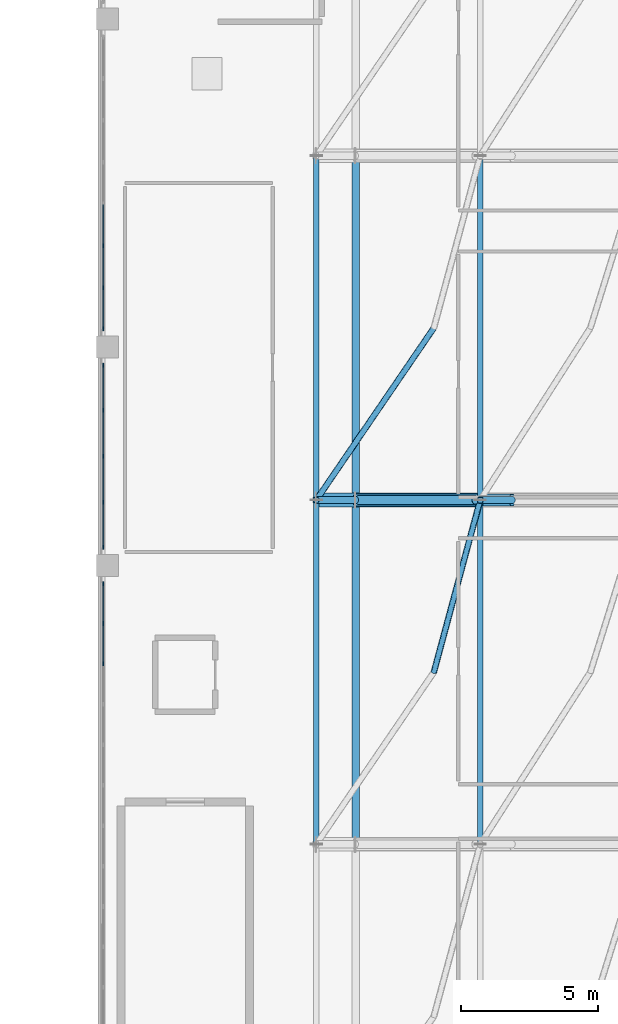
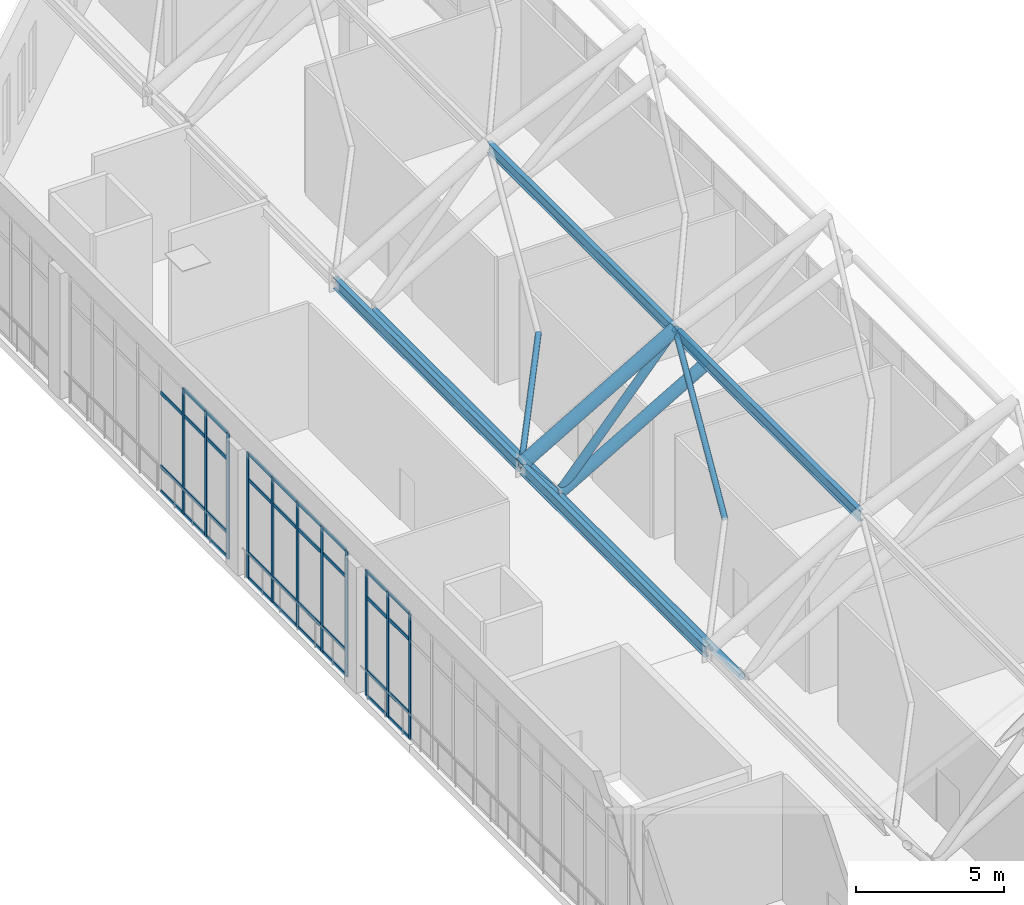
# One storey, part 13 of 42: 59 members, 3 elements without a shape of their own.
"""IFC4 building model written with IfcOpenShell, lengths in metres."""

from ifc_helpers import new_model, si_unit, derived_unit, direction, frame, origin, origin_2d, place, context, subcontext, project, spatial, rectangle, hollow_circle, i_section, extrude, material, layer, layer_set, material_profile, profile_set, type_object, element, aggregate, save


model = new_model("IFC4")

# Units and contexts
model_context = context("Model", 3, precision=1e-05, world=origin(), true_north=direction((0.0, 1.0)))
body_context = subcontext(model_context, "Body", "Model", "MODEL_VIEW")
ifc_project = project(units=[si_unit("LENGTHUNIT", "METRE"), si_unit("AREAUNIT", "SQUARE_METRE"), si_unit("VOLUMEUNIT", "CUBIC_METRE"), si_unit("PLANEANGLEUNIT", "RADIAN"), si_unit("MASSUNIT", "GRAM", prefix="KILO"), derived_unit("THERMALTRANSMITTANCEUNIT", [(si_unit("MASSUNIT", "GRAM", prefix="KILO"), 1), (si_unit("TIMEUNIT", "SECOND"), -3), (si_unit("THERMODYNAMICTEMPERATUREUNIT", "KELVIN"), -1)])], contexts=[model_context])

# Site, building, storey
site_placement = place(None, origin())
site = spatial("IfcSite", under=ifc_project, at=site_placement, CompositionType="ELEMENT")
building_placement = place(site_placement, origin())
building = spatial("IfcBuilding", under=site, at=building_placement, Name="Valcora Ridge Arena", CompositionType="ELEMENT")
storey_placement = place(building_placement, frame((0.0, 0.0, 26.39990234375)))
storey = spatial("IfcBuildingStorey", under=building, at=storey_placement, Name="L05", CompositionType="ELEMENT", Elevation=26.39990234375)

# Curtain wall, members
ifc_material_1 = material(Name="Anodised dark bronze architectural aluminium 6063-T6", Category="aluminium")
ifc_layer_1 = layer(ifc_material_1, 0.14990234375, Name="Anodised dark bronze architectural aluminium 6063-T6")
ifc_layer_set_1 = layer_set([ifc_layer_1], Name="Anodised dark bronze architectural aluminium 6063-T6")
curtain_wall_type_1 = type_object("IfcCurtainWallType", Name="TY-CURTAINWALL-CW-V1-SKY-207X52", PredefinedType="NOTDEFINED", material=ifc_layer_set_1)
curtain_wall_1_placement = place(storey_placement, origin())
curtain_wall_1 = element("IfcCurtainWall", 1, at=curtain_wall_1_placement, inside=storey, type_object=curtain_wall_type_1, Name="CW-V1-SKY-207X52 CW-0165", PredefinedType="NOTDEFINED")
ifc_material_profile_1 = material_profile(ifc_material_1, rectangle(XDim=0.050048828125, YDim=0.14990234375, at=origin_2d()), Name="ALU MULLION 50x150")
ifc_profile_set_1 = profile_set([ifc_material_profile_1], Name="Anodised dark bronze architectural aluminium 6063-T6")
member_type_1 = type_object("IfcMemberType", Name="TY-MEM-CWM-50x150", PredefinedType="MULLION", material=ifc_profile_set_1)
member_1_placement = place(storey_placement, frame((16.199951171875, 64.39990234375, 0.0), z_axis=(0.0, 0.0, 1.0), x_axis=(-1.0, 0.0, 0.0)))
member_1 = element("IfcMember", 2, at=member_1_placement, type_object=member_type_1, Name="CW-0165/CWM-50x150/M12", PredefinedType="MULLION", context=body_context, shape_type="SweptSolid", body=[
    extrude(rectangle(XDim=0.050048828125, YDim=0.14990234375, at=origin_2d()), origin(), (0.0, 0.0, 1.0), 5.18017578125),
])
member_2_placement = place(storey_placement, frame((16.199951171875, 65.8798828125, 0.0), z_axis=(0.0, 0.0, 1.0), x_axis=(-1.0, 0.0, 0.0)))
member_2 = element("IfcMember", 3, at=member_2_placement, type_object=member_type_1, Name="CW-0165/CWM-50x150/M13", PredefinedType="MULLION", context=body_context, shape_type="SweptSolid", body=[
    extrude(rectangle(XDim=0.050048828125, YDim=0.14990234375, at=origin_2d()), origin(), (0.0, 0.0, 1.0), 5.18017578125),
])
member_3_placement = place(storey_placement, frame((16.199951171875, 67.3349609375, 0.0), z_axis=(0.0, 0.0, 1.0), x_axis=(-1.0, 0.0, 0.0)))
member_3 = element("IfcMember", 4, at=member_3_placement, type_object=member_type_1, Name="CW-0165/CWM-50x150/M14", PredefinedType="MULLION", context=body_context, shape_type="SweptSolid", body=[
    extrude(rectangle(XDim=0.050048828125, YDim=0.14990234375, at=origin_2d()), origin(), (0.0, 0.0, 1.0), 5.18017578125),
])

ifc_layer_2 = layer(ifc_material_1, 0.14990234375, Name="Anodised dark bronze architectural aluminium 6063-T6")
ifc_layer_set_2 = layer_set([ifc_layer_2], Name="Anodised dark bronze architectural aluminium 6063-T6")
curtain_wall_type_2 = type_object("IfcCurtainWallType", Name="TY-CURTAINWALL-CW-V1-SKY-067X52", PredefinedType="NOTDEFINED", material=ifc_layer_set_2)
curtain_wall_2_placement = place(storey_placement, origin())
curtain_wall_2 = element("IfcCurtainWall", 5, at=curtain_wall_2_placement, inside=storey, type_object=curtain_wall_type_2, Name="CW-V1-SKY-067X52 CW-0166", PredefinedType="NOTDEFINED")
member_4_placement = place(storey_placement, frame((16.199951171875, 68.6650390625, 0.0), z_axis=(0.0, 0.0, 1.0), x_axis=(-1.0, 0.0, 0.0)))
member_4 = element("IfcMember", 6, at=member_4_placement, type_object=member_type_1, Name="CW-0166/CWM-50x150/M00", PredefinedType="MULLION", context=body_context, shape_type="SweptSolid", body=[
    extrude(rectangle(XDim=0.050048828125, YDim=0.14990234375, at=origin_2d()), origin(), (0.0, 0.0, 1.0), 5.18017578125),
])
member_5_placement = place(storey_placement, frame((16.199951171875, 70.320068359375, 0.0), z_axis=(0.0, 0.0, 1.0), x_axis=(-1.0, 0.0, 0.0)))
member_5 = element("IfcMember", 7, at=member_5_placement, type_object=member_type_1, Name="CW-0166/CWM-50x150/M01", PredefinedType="MULLION", context=body_context, shape_type="SweptSolid", body=[
    extrude(rectangle(XDim=0.050048828125, YDim=0.14990234375, at=origin_2d()), origin(), (0.0, 0.0, 1.0), 5.18017578125),
])
member_6_placement = place(storey_placement, frame((16.199951171875, 72.0, 0.0), z_axis=(0.0, 0.0, 1.0), x_axis=(-1.0, 0.0, 0.0)))
member_6 = element("IfcMember", 8, at=member_6_placement, type_object=member_type_1, Name="CW-0166/CWM-50x150/M02", PredefinedType="MULLION", context=body_context, shape_type="SweptSolid", body=[
    extrude(rectangle(XDim=0.050048828125, YDim=0.14990234375, at=origin_2d()), origin(), (0.0, 0.0, 1.0), 5.18017578125),
])
member_7_placement = place(storey_placement, frame((16.199951171875, 73.679931640625, 0.0), z_axis=(0.0, 0.0, 1.0), x_axis=(-1.0, 0.0, 0.0)))
member_7 = element("IfcMember", 9, at=member_7_placement, type_object=member_type_1, Name="CW-0166/CWM-50x150/M03", PredefinedType="MULLION", context=body_context, shape_type="SweptSolid", body=[
    extrude(rectangle(XDim=0.050048828125, YDim=0.14990234375, at=origin_2d()), origin(), (0.0, 0.0, 1.0), 5.18017578125),
])
member_8_placement = place(storey_placement, frame((16.199951171875, 75.3349609375, 0.0), z_axis=(0.0, 0.0, 1.0), x_axis=(-1.0, 0.0, 0.0)))
member_8 = element("IfcMember", 10, at=member_8_placement, type_object=member_type_1, Name="CW-0166/CWM-50x150/M04", PredefinedType="MULLION", context=body_context, shape_type="SweptSolid", body=[
    extrude(rectangle(XDim=0.050048828125, YDim=0.14990234375, at=origin_2d()), origin(), (0.0, 0.0, 1.0), 5.18017578125),
])

ifc_layer_3 = layer(ifc_material_1, 0.14990234375, Name="Anodised dark bronze architectural aluminium 6063-T6")
ifc_layer_set_3 = layer_set([ifc_layer_3], Name="Anodised dark bronze architectural aluminium 6063-T6")
curtain_wall_type_3 = type_object("IfcCurtainWallType", Name="TY-CURTAINWALL-CW-V1-SKY-107X52", PredefinedType="NOTDEFINED", material=ifc_layer_set_3)
curtain_wall_3_placement = place(storey_placement, origin())
curtain_wall_3 = element("IfcCurtainWall", 11, at=curtain_wall_3_placement, inside=storey, type_object=curtain_wall_type_3, Name="CW-V1-SKY-107X52 CW-0167", PredefinedType="NOTDEFINED")
member_9_placement = place(storey_placement, frame((16.199951171875, 76.6650390625, 0.0), z_axis=(0.0, 0.0, 1.0), x_axis=(-1.0, 0.0, 0.0)))
member_9 = element("IfcMember", 12, at=member_9_placement, type_object=member_type_1, Name="CW-0167/CWM-50x150/M00", PredefinedType="MULLION", context=body_context, shape_type="SweptSolid", body=[
    extrude(rectangle(XDim=0.050048828125, YDim=0.14990234375, at=origin_2d()), origin(), (0.0, 0.0, 1.0), 5.18017578125),
])
member_10_placement = place(storey_placement, frame((16.199951171875, 78.17138671875, 0.0), z_axis=(0.0, 0.0, 1.0), x_axis=(-1.0, 0.0, 0.0)))
member_10 = element("IfcMember", 13, at=member_10_placement, type_object=member_type_1, Name="CW-0167/CWM-50x150/M01", PredefinedType="MULLION", context=body_context, shape_type="SweptSolid", body=[
    extrude(rectangle(XDim=0.050048828125, YDim=0.14990234375, at=origin_2d()), origin(), (0.0, 0.0, 1.0), 5.18017578125),
])
member_11_placement = place(storey_placement, frame((16.199951171875, 79.702880859375, 0.0), z_axis=(0.0, 0.0, 1.0), x_axis=(-1.0, 0.0, 0.0)))
member_11 = element("IfcMember", 14, at=member_11_placement, type_object=member_type_1, Name="CW-0167/CWM-50x150/M02", PredefinedType="MULLION", context=body_context, shape_type="SweptSolid", body=[
    extrude(rectangle(XDim=0.050048828125, YDim=0.14990234375, at=origin_2d()), origin(), (0.0, 0.0, 1.0), 5.18017578125),
])

# Member
ifc_material_profile_2 = material_profile(ifc_material_1, rectangle(XDim=0.050048828125, YDim=0.14990234375, at=origin_2d()), Name="ALU TRANSOM 50x150")
ifc_profile_set_2 = profile_set([ifc_material_profile_2], Name="Anodised dark bronze architectural aluminium 6063-T6")
member_type_2 = type_object("IfcMemberType", Name="TY-MEM-CWT-50x150", PredefinedType="USERDEFINED", material=ifc_profile_set_2)
member_12_placement = place(storey_placement, frame((16.199951171875, 64.425048828125, 0.025146484375), z_axis=(0.0, 1.0, 0.0), x_axis=(-1.0, 0.0, 0.0)))
member_12 = element("IfcMember", 15, at=member_12_placement, type_object=member_type_2, Name="CW-0165/CWT-50x150/T12-00", ObjectType="TRANSOM", PredefinedType="USERDEFINED", context=body_context, shape_type="SweptSolid", body=[
    extrude(rectangle(XDim=0.050048828125, YDim=0.14990234375, at=origin_2d()), origin(), (0.0, 0.0, 1.0), 1.429931640625),
])

member_13_placement = place(storey_placement, frame((16.199951171875, 64.425048828125, 1.050048828125), z_axis=(0.0, 1.0, 0.0), x_axis=(-1.0, 0.0, 0.0)))
member_13 = element("IfcMember", 16, at=member_13_placement, type_object=member_type_2, Name="CW-0165/CWT-50x150/T12-01", ObjectType="TRANSOM", PredefinedType="USERDEFINED", context=body_context, shape_type="SweptSolid", body=[
    extrude(rectangle(XDim=0.050048828125, YDim=0.14990234375, at=origin_2d()), origin(), (0.0, 0.0, 1.0), 1.429931640625),
])

member_14_placement = place(storey_placement, frame((16.199951171875, 64.425048828125, 4.080078125), z_axis=(0.0, 1.0, 0.0), x_axis=(-1.0, 0.0, 0.0)))
member_14 = element("IfcMember", 17, at=member_14_placement, type_object=member_type_2, Name="CW-0165/CWT-50x150/T12-02", ObjectType="TRANSOM", PredefinedType="USERDEFINED", context=body_context, shape_type="SweptSolid", body=[
    extrude(rectangle(XDim=0.050048828125, YDim=0.14990234375, at=origin_2d()), origin(), (0.0, 0.0, 1.0), 1.429931640625),
])

member_15_placement = place(storey_placement, frame((16.199951171875, 64.425048828125, 5.155029296875), z_axis=(0.0, 1.0, 0.0), x_axis=(-1.0, 0.0, 0.0)))
member_15 = element("IfcMember", 18, at=member_15_placement, type_object=member_type_2, Name="CW-0165/CWT-50x150/T12-03", ObjectType="TRANSOM", PredefinedType="USERDEFINED", context=body_context, shape_type="SweptSolid", body=[
    extrude(rectangle(XDim=0.050048828125, YDim=0.14990234375, at=origin_2d()), origin(), (0.0, 0.0, 1.0), 1.429931640625),
])

member_16_placement = place(storey_placement, frame((16.199951171875, 65.905029296875, 0.025146484375), z_axis=(0.0, 1.0, 0.0), x_axis=(-1.0, 0.0, 0.0)))
member_16 = element("IfcMember", 19, at=member_16_placement, type_object=member_type_2, Name="CW-0165/CWT-50x150/T13-00", ObjectType="TRANSOM", PredefinedType="USERDEFINED", context=body_context, shape_type="SweptSolid", body=[
    extrude(rectangle(XDim=0.050048828125, YDim=0.14990234375, at=origin_2d()), origin(), (0.0, 0.0, 1.0), 1.405029296875),
])

member_17_placement = place(storey_placement, frame((16.199951171875, 65.905029296875, 1.050048828125), z_axis=(0.0, 1.0, 0.0), x_axis=(-1.0, 0.0, 0.0)))
member_17 = element("IfcMember", 20, at=member_17_placement, type_object=member_type_2, Name="CW-0165/CWT-50x150/T13-01", ObjectType="TRANSOM", PredefinedType="USERDEFINED", context=body_context, shape_type="SweptSolid", body=[
    extrude(rectangle(XDim=0.050048828125, YDim=0.14990234375, at=origin_2d()), origin(), (0.0, 0.0, 1.0), 1.405029296875),
])

member_18_placement = place(storey_placement, frame((16.199951171875, 65.905029296875, 4.080078125), z_axis=(0.0, 1.0, 0.0), x_axis=(-1.0, 0.0, 0.0)))
member_18 = element("IfcMember", 21, at=member_18_placement, type_object=member_type_2, Name="CW-0165/CWT-50x150/T13-02", ObjectType="TRANSOM", PredefinedType="USERDEFINED", context=body_context, shape_type="SweptSolid", body=[
    extrude(rectangle(XDim=0.050048828125, YDim=0.14990234375, at=origin_2d()), origin(), (0.0, 0.0, 1.0), 1.405029296875),
])

member_19_placement = place(storey_placement, frame((16.199951171875, 65.905029296875, 5.155029296875), z_axis=(0.0, 1.0, 0.0), x_axis=(-1.0, 0.0, 0.0)))
member_19 = element("IfcMember", 22, at=member_19_placement, type_object=member_type_2, Name="CW-0165/CWT-50x150/T13-03", ObjectType="TRANSOM", PredefinedType="USERDEFINED", context=body_context, shape_type="SweptSolid", body=[
    extrude(rectangle(XDim=0.050048828125, YDim=0.14990234375, at=origin_2d()), origin(), (0.0, 0.0, 1.0), 1.405029296875),
])

aggregate(curtain_wall_1, [member_1, member_2, member_3, member_12, member_13, member_14, member_15, member_16, member_17, member_18, member_19])

member_20_placement = place(storey_placement, frame((16.199951171875, 68.68994140625, 0.025146484375), z_axis=(0.0, 1.0, 0.0), x_axis=(-1.0, 0.0, 0.0)))
member_20 = element("IfcMember", 23, at=member_20_placement, type_object=member_type_2, Name="CW-0166/CWT-50x150/T00-00", ObjectType="TRANSOM", PredefinedType="USERDEFINED", context=body_context, shape_type="SweptSolid", body=[
    extrude(rectangle(XDim=0.050048828125, YDim=0.14990234375, at=origin_2d()), origin(), (0.0, 0.0, 1.0), 1.60498046875),
])

member_21_placement = place(storey_placement, frame((16.199951171875, 68.68994140625, 1.050048828125), z_axis=(0.0, 1.0, 0.0), x_axis=(-1.0, 0.0, 0.0)))
member_21 = element("IfcMember", 24, at=member_21_placement, type_object=member_type_2, Name="CW-0166/CWT-50x150/T00-01", ObjectType="TRANSOM", PredefinedType="USERDEFINED", context=body_context, shape_type="SweptSolid", body=[
    extrude(rectangle(XDim=0.050048828125, YDim=0.14990234375, at=origin_2d()), origin(), (0.0, 0.0, 1.0), 1.60498046875),
])

member_22_placement = place(storey_placement, frame((16.199951171875, 68.68994140625, 4.080078125), z_axis=(0.0, 1.0, 0.0), x_axis=(-1.0, 0.0, 0.0)))
member_22 = element("IfcMember", 25, at=member_22_placement, type_object=member_type_2, Name="CW-0166/CWT-50x150/T00-02", ObjectType="TRANSOM", PredefinedType="USERDEFINED", context=body_context, shape_type="SweptSolid", body=[
    extrude(rectangle(XDim=0.050048828125, YDim=0.14990234375, at=origin_2d()), origin(), (0.0, 0.0, 1.0), 1.60498046875),
])

member_23_placement = place(storey_placement, frame((16.199951171875, 68.68994140625, 5.155029296875), z_axis=(0.0, 1.0, 0.0), x_axis=(-1.0, 0.0, 0.0)))
member_23 = element("IfcMember", 26, at=member_23_placement, type_object=member_type_2, Name="CW-0166/CWT-50x150/T00-03", ObjectType="TRANSOM", PredefinedType="USERDEFINED", context=body_context, shape_type="SweptSolid", body=[
    extrude(rectangle(XDim=0.050048828125, YDim=0.14990234375, at=origin_2d()), origin(), (0.0, 0.0, 1.0), 1.60498046875),
])

member_24_placement = place(storey_placement, frame((16.199951171875, 70.344970703125, 0.025146484375), z_axis=(0.0, 1.0, 0.0), x_axis=(-1.0, 0.0, 0.0)))
member_24 = element("IfcMember", 27, at=member_24_placement, type_object=member_type_2, Name="CW-0166/CWT-50x150/T01-00", ObjectType="TRANSOM", PredefinedType="USERDEFINED", context=body_context, shape_type="SweptSolid", body=[
    extrude(rectangle(XDim=0.050048828125, YDim=0.14990234375, at=origin_2d()), origin(), (0.0, 0.0, 1.0), 1.630126953125),
])

member_25_placement = place(storey_placement, frame((16.199951171875, 70.344970703125, 1.050048828125), z_axis=(0.0, 1.0, 0.0), x_axis=(-1.0, 0.0, 0.0)))
member_25 = element("IfcMember", 28, at=member_25_placement, type_object=member_type_2, Name="CW-0166/CWT-50x150/T01-01", ObjectType="TRANSOM", PredefinedType="USERDEFINED", context=body_context, shape_type="SweptSolid", body=[
    extrude(rectangle(XDim=0.050048828125, YDim=0.14990234375, at=origin_2d()), origin(), (0.0, 0.0, 1.0), 1.630126953125),
])

member_26_placement = place(storey_placement, frame((16.199951171875, 70.344970703125, 4.080078125), z_axis=(0.0, 1.0, 0.0), x_axis=(-1.0, 0.0, 0.0)))
member_26 = element("IfcMember", 29, at=member_26_placement, type_object=member_type_2, Name="CW-0166/CWT-50x150/T01-02", ObjectType="TRANSOM", PredefinedType="USERDEFINED", context=body_context, shape_type="SweptSolid", body=[
    extrude(rectangle(XDim=0.050048828125, YDim=0.14990234375, at=origin_2d()), origin(), (0.0, 0.0, 1.0), 1.630126953125),
])

member_27_placement = place(storey_placement, frame((16.199951171875, 70.344970703125, 5.155029296875), z_axis=(0.0, 1.0, 0.0), x_axis=(-1.0, 0.0, 0.0)))
member_27 = element("IfcMember", 30, at=member_27_placement, type_object=member_type_2, Name="CW-0166/CWT-50x150/T01-03", ObjectType="TRANSOM", PredefinedType="USERDEFINED", context=body_context, shape_type="SweptSolid", body=[
    extrude(rectangle(XDim=0.050048828125, YDim=0.14990234375, at=origin_2d()), origin(), (0.0, 0.0, 1.0), 1.630126953125),
])

member_28_placement = place(storey_placement, frame((16.199951171875, 72.02490234375, 0.025146484375), z_axis=(0.0, 1.0, 0.0), x_axis=(-1.0, 0.0, 0.0)))
member_28 = element("IfcMember", 31, at=member_28_placement, type_object=member_type_2, Name="CW-0166/CWT-50x150/T02-00", ObjectType="TRANSOM", PredefinedType="USERDEFINED", context=body_context, shape_type="SweptSolid", body=[
    extrude(rectangle(XDim=0.050048828125, YDim=0.14990234375, at=origin_2d()), origin(), (0.0, 0.0, 1.0), 1.630126953125),
])

member_29_placement = place(storey_placement, frame((16.199951171875, 72.02490234375, 1.050048828125), z_axis=(0.0, 1.0, 0.0), x_axis=(-1.0, 0.0, 0.0)))
member_29 = element("IfcMember", 32, at=member_29_placement, type_object=member_type_2, Name="CW-0166/CWT-50x150/T02-01", ObjectType="TRANSOM", PredefinedType="USERDEFINED", context=body_context, shape_type="SweptSolid", body=[
    extrude(rectangle(XDim=0.050048828125, YDim=0.14990234375, at=origin_2d()), origin(), (0.0, 0.0, 1.0), 1.630126953125),
])

member_30_placement = place(storey_placement, frame((16.199951171875, 72.02490234375, 4.080078125), z_axis=(0.0, 1.0, 0.0), x_axis=(-1.0, 0.0, 0.0)))
member_30 = element("IfcMember", 33, at=member_30_placement, type_object=member_type_2, Name="CW-0166/CWT-50x150/T02-02", ObjectType="TRANSOM", PredefinedType="USERDEFINED", context=body_context, shape_type="SweptSolid", body=[
    extrude(rectangle(XDim=0.050048828125, YDim=0.14990234375, at=origin_2d()), origin(), (0.0, 0.0, 1.0), 1.630126953125),
])

member_31_placement = place(storey_placement, frame((16.199951171875, 72.02490234375, 5.155029296875), z_axis=(0.0, 1.0, 0.0), x_axis=(-1.0, 0.0, 0.0)))
member_31 = element("IfcMember", 34, at=member_31_placement, type_object=member_type_2, Name="CW-0166/CWT-50x150/T02-03", ObjectType="TRANSOM", PredefinedType="USERDEFINED", context=body_context, shape_type="SweptSolid", body=[
    extrude(rectangle(XDim=0.050048828125, YDim=0.14990234375, at=origin_2d()), origin(), (0.0, 0.0, 1.0), 1.630126953125),
])

member_32_placement = place(storey_placement, frame((16.199951171875, 73.705078125, 0.025146484375), z_axis=(0.0, 1.0, 0.0), x_axis=(-1.0, 0.0, 0.0)))
member_32 = element("IfcMember", 35, at=member_32_placement, type_object=member_type_2, Name="CW-0166/CWT-50x150/T03-00", ObjectType="TRANSOM", PredefinedType="USERDEFINED", context=body_context, shape_type="SweptSolid", body=[
    extrude(rectangle(XDim=0.050048828125, YDim=0.14990234375, at=origin_2d()), origin(), (0.0, 0.0, 1.0), 1.60498046875),
])

member_33_placement = place(storey_placement, frame((16.199951171875, 73.705078125, 1.050048828125), z_axis=(0.0, 1.0, 0.0), x_axis=(-1.0, 0.0, 0.0)))
member_33 = element("IfcMember", 36, at=member_33_placement, type_object=member_type_2, Name="CW-0166/CWT-50x150/T03-01", ObjectType="TRANSOM", PredefinedType="USERDEFINED", context=body_context, shape_type="SweptSolid", body=[
    extrude(rectangle(XDim=0.050048828125, YDim=0.14990234375, at=origin_2d()), origin(), (0.0, 0.0, 1.0), 1.60498046875),
])

member_34_placement = place(storey_placement, frame((16.199951171875, 73.705078125, 4.080078125), z_axis=(0.0, 1.0, 0.0), x_axis=(-1.0, 0.0, 0.0)))
member_34 = element("IfcMember", 37, at=member_34_placement, type_object=member_type_2, Name="CW-0166/CWT-50x150/T03-02", ObjectType="TRANSOM", PredefinedType="USERDEFINED", context=body_context, shape_type="SweptSolid", body=[
    extrude(rectangle(XDim=0.050048828125, YDim=0.14990234375, at=origin_2d()), origin(), (0.0, 0.0, 1.0), 1.60498046875),
])

member_35_placement = place(storey_placement, frame((16.199951171875, 73.705078125, 5.155029296875), z_axis=(0.0, 1.0, 0.0), x_axis=(-1.0, 0.0, 0.0)))
member_35 = element("IfcMember", 38, at=member_35_placement, type_object=member_type_2, Name="CW-0166/CWT-50x150/T03-03", ObjectType="TRANSOM", PredefinedType="USERDEFINED", context=body_context, shape_type="SweptSolid", body=[
    extrude(rectangle(XDim=0.050048828125, YDim=0.14990234375, at=origin_2d()), origin(), (0.0, 0.0, 1.0), 1.60498046875),
])

aggregate(curtain_wall_2, [member_4, member_5, member_6, member_7, member_8, member_20, member_21, member_22, member_23, member_24, member_25, member_26, member_27, member_28, member_29, member_30, member_31, member_32, member_33, member_34, member_35])

member_36_placement = place(storey_placement, frame((16.199951171875, 76.68994140625, 0.025146484375), z_axis=(0.0, 1.0, 0.0), x_axis=(-1.0, 0.0, 0.0)))
member_36 = element("IfcMember", 39, at=member_36_placement, type_object=member_type_2, Name="CW-0167/CWT-50x150/T00-00", ObjectType="TRANSOM", PredefinedType="USERDEFINED", context=body_context, shape_type="SweptSolid", body=[
    extrude(rectangle(XDim=0.050048828125, YDim=0.14990234375, at=origin_2d()), origin(), (0.0, 0.0, 1.0), 1.4560546875),
])

member_37_placement = place(storey_placement, frame((16.199951171875, 76.68994140625, 1.050048828125), z_axis=(0.0, 1.0, 0.0), x_axis=(-1.0, 0.0, 0.0)))
member_37 = element("IfcMember", 40, at=member_37_placement, type_object=member_type_2, Name="CW-0167/CWT-50x150/T00-01", ObjectType="TRANSOM", PredefinedType="USERDEFINED", context=body_context, shape_type="SweptSolid", body=[
    extrude(rectangle(XDim=0.050048828125, YDim=0.14990234375, at=origin_2d()), origin(), (0.0, 0.0, 1.0), 1.4560546875),
])

member_38_placement = place(storey_placement, frame((16.199951171875, 76.68994140625, 4.080078125), z_axis=(0.0, 1.0, 0.0), x_axis=(-1.0, 0.0, 0.0)))
member_38 = element("IfcMember", 41, at=member_38_placement, type_object=member_type_2, Name="CW-0167/CWT-50x150/T00-02", ObjectType="TRANSOM", PredefinedType="USERDEFINED", context=body_context, shape_type="SweptSolid", body=[
    extrude(rectangle(XDim=0.050048828125, YDim=0.14990234375, at=origin_2d()), origin(), (0.0, 0.0, 1.0), 1.4560546875),
])

member_39_placement = place(storey_placement, frame((16.199951171875, 76.68994140625, 5.155029296875), z_axis=(0.0, 1.0, 0.0), x_axis=(-1.0, 0.0, 0.0)))
member_39 = element("IfcMember", 42, at=member_39_placement, type_object=member_type_2, Name="CW-0167/CWT-50x150/T00-03", ObjectType="TRANSOM", PredefinedType="USERDEFINED", context=body_context, shape_type="SweptSolid", body=[
    extrude(rectangle(XDim=0.050048828125, YDim=0.14990234375, at=origin_2d()), origin(), (0.0, 0.0, 1.0), 1.4560546875),
])

member_40_placement = place(storey_placement, frame((16.199951171875, 78.196044921875, 0.025146484375), z_axis=(0.0, 1.0, 0.0), x_axis=(-1.0, 0.0, 0.0)))
member_40 = element("IfcMember", 43, at=member_40_placement, type_object=member_type_2, Name="CW-0167/CWT-50x150/T01-00", ObjectType="TRANSOM", PredefinedType="USERDEFINED", context=body_context, shape_type="SweptSolid", body=[
    extrude(rectangle(XDim=0.050048828125, YDim=0.14990234375, at=origin_2d()), origin(), (0.0, 0.0, 1.0), 1.48193359375),
])

member_41_placement = place(storey_placement, frame((16.199951171875, 78.196044921875, 1.050048828125), z_axis=(0.0, 1.0, 0.0), x_axis=(-1.0, 0.0, 0.0)))
member_41 = element("IfcMember", 44, at=member_41_placement, type_object=member_type_2, Name="CW-0167/CWT-50x150/T01-01", ObjectType="TRANSOM", PredefinedType="USERDEFINED", context=body_context, shape_type="SweptSolid", body=[
    extrude(rectangle(XDim=0.050048828125, YDim=0.14990234375, at=origin_2d()), origin(), (0.0, 0.0, 1.0), 1.48193359375),
])

member_42_placement = place(storey_placement, frame((16.199951171875, 78.196044921875, 4.080078125), z_axis=(0.0, 1.0, 0.0), x_axis=(-1.0, 0.0, 0.0)))
member_42 = element("IfcMember", 45, at=member_42_placement, type_object=member_type_2, Name="CW-0167/CWT-50x150/T01-02", ObjectType="TRANSOM", PredefinedType="USERDEFINED", context=body_context, shape_type="SweptSolid", body=[
    extrude(rectangle(XDim=0.050048828125, YDim=0.14990234375, at=origin_2d()), origin(), (0.0, 0.0, 1.0), 1.48193359375),
])

member_43_placement = place(storey_placement, frame((16.199951171875, 78.196044921875, 5.155029296875), z_axis=(0.0, 1.0, 0.0), x_axis=(-1.0, 0.0, 0.0)))
member_43 = element("IfcMember", 46, at=member_43_placement, type_object=member_type_2, Name="CW-0167/CWT-50x150/T01-03", ObjectType="TRANSOM", PredefinedType="USERDEFINED", context=body_context, shape_type="SweptSolid", body=[
    extrude(rectangle(XDim=0.050048828125, YDim=0.14990234375, at=origin_2d()), origin(), (0.0, 0.0, 1.0), 1.48193359375),
])

member_44_placement = place(storey_placement, frame((16.199951171875, 79.72802734375, 0.025146484375), z_axis=(0.0, 1.0, 0.0), x_axis=(-1.0, 0.0, 0.0)))
member_44 = element("IfcMember", 47, at=member_44_placement, type_object=member_type_2, Name="CW-0167/CWT-50x150/T02-00", ObjectType="TRANSOM", PredefinedType="USERDEFINED", context=body_context, shape_type="SweptSolid", body=[
    extrude(rectangle(XDim=0.050048828125, YDim=0.14990234375, at=origin_2d()), origin(), (0.0, 0.0, 1.0), 1.48095703125),
])

member_45_placement = place(storey_placement, frame((16.199951171875, 79.72802734375, 1.050048828125), z_axis=(0.0, 1.0, 0.0), x_axis=(-1.0, 0.0, 0.0)))
member_45 = element("IfcMember", 48, at=member_45_placement, type_object=member_type_2, Name="CW-0167/CWT-50x150/T02-01", ObjectType="TRANSOM", PredefinedType="USERDEFINED", context=body_context, shape_type="SweptSolid", body=[
    extrude(rectangle(XDim=0.050048828125, YDim=0.14990234375, at=origin_2d()), origin(), (0.0, 0.0, 1.0), 1.48095703125),
])

member_46_placement = place(storey_placement, frame((16.199951171875, 79.72802734375, 4.080078125), z_axis=(0.0, 1.0, 0.0), x_axis=(-1.0, 0.0, 0.0)))
member_46 = element("IfcMember", 49, at=member_46_placement, type_object=member_type_2, Name="CW-0167/CWT-50x150/T02-02", ObjectType="TRANSOM", PredefinedType="USERDEFINED", context=body_context, shape_type="SweptSolid", body=[
    extrude(rectangle(XDim=0.050048828125, YDim=0.14990234375, at=origin_2d()), origin(), (0.0, 0.0, 1.0), 1.48095703125),
])

aggregate(curtain_wall_3, [member_9, member_10, member_11, member_36, member_37, member_38, member_39, member_40, member_41, member_42, member_43, member_44, member_45, member_46])

# Members
ifc_material_2 = material(Name="Steel ASTM A572 Grade 50", Category="steel")
ifc_material_profile_3 = material_profile(ifc_material_2, i_section(OverallWidth=0.18994140625, OverallDepth=0.45703125, WebThickness=0.009033203125, FlangeThickness=0.014404296875, FilletRadius=0.014892578125, at=origin_2d()), Name="W18X50")
ifc_profile_set_3 = profile_set([ifc_material_profile_3], Name="Steel ASTM A572 Grade 50")
member_type_3 = type_object("IfcMemberType", Name="TY-MEMBER-PUR-W18X50", PredefinedType="PURLIN", material=ifc_profile_set_3)
for number, where, z_axis, x_axis, name in (
    (50, (24.0, 57.85009765625, 4.845703125), (0.0, 1.0, 0.0), (-1.0, 0.0, 0.0), "PUR-W18X50 SF-PR-PUR-W18X50-0037"),
    (51, (30.0, 57.85009765625, 8.342529296875), (0.0, 1.0, 0.0), (-1.0, 0.0, 0.0), "PUR-W18X50 SF-PR-PUR-W18X50-0038"),
    (52, (24.0, 70.449951171875, 4.845703125), (0.0, 1.0, 0.0), (-1.0, 0.0, 0.0), "PUR-W18X50 SF-PR-PUR-W18X50-0049"),
    (53, (30.0, 70.449951171875, 8.342529296875), (0.0, 1.0, 0.0), (-1.0, 0.0, 0.0), "PUR-W18X50 SF-PR-PUR-W18X50-0050"),
):
    element("IfcMember", number, at=place(storey_placement, frame(where, z_axis=z_axis, x_axis=x_axis)), inside=storey, type_object=member_type_3, Name=name, PredefinedType="PURLIN", context=body_context, shape_type="SweptSolid", body=[
        extrude(i_section(OverallWidth=0.18994140625, OverallDepth=0.45703125, WebThickness=0.009033203125, FlangeThickness=0.014404296875, FilletRadius=0.014892578125, at=origin_2d()), origin(), (0.0, 0.0, 1.0), 12.5),
    ])
ifc_material_3 = material(Name="Steel ASTM A500 Grade C", Category="steel")
ifc_material_profile_4 = material_profile(ifc_material_3, hollow_circle(Radius=0.228515625, WallThickness=0.01611328125, at=origin_2d()), Name="CHS457X16")
ifc_profile_set_4 = profile_set([ifc_material_profile_4], Name="Steel ASTM A500 Grade C")
member_type_4 = type_object("IfcMemberType", Name="TY-MEMBER-SFBC-457", PredefinedType="CHORD", material=ifc_profile_set_4)
member_47_placement = place(storey_placement, frame((25.438232421875, 70.39990234375, 3.234130859375), z_axis=(0.864898384633, 0.0, 0.501946993476), x_axis=(0.0, 1.0, 0.0)))
element("IfcMember", 54, at=member_47_placement, inside=storey, type_object=member_type_4, Name="SFBC-457 Space Frame Bottom Chord", PredefinedType="CHORD", context=body_context, shape_type="SweptSolid", body=[
    extrude(hollow_circle(Radius=0.228515625, WallThickness=0.01611328125, at=origin_2d()), origin(), (0.0, 0.0, 1.0), 6.62353515625),
])
ifc_material_profile_5 = material_profile(ifc_material_3, hollow_circle(Radius=0.136474609375, WallThickness=0.012451171875, at=origin_2d()), Name="CHS273X12")
ifc_profile_set_5 = profile_set([ifc_material_profile_5], Name="Steel ASTM A500 Grade C")
member_type_5 = type_object("IfcMemberType", Name="TY-MEMBER-SFBT-273", PredefinedType="STRUT", material=ifc_profile_set_5)
for number, where, z_axis, x_axis, name in (
    (55, (25.438232421875, 57.97998046875, 3.234130859375), (0.0, 1.0, 0.0), (-1.0, 0.0, 0.0), "SFBT-273 Space Frame Bottom Strut"),
    (56, (25.438232421875, 70.580078125, 3.234130859375), (0.0, 1.0, 0.0), (-1.0, 0.0, 0.0), "SFBT-273 Space Frame Bottom Strut"),
):
    element("IfcMember", number, at=place(storey_placement, frame(where, z_axis=z_axis, x_axis=x_axis)), inside=storey, type_object=member_type_5, Name=name, PredefinedType="STRUT", context=body_context, shape_type="SweptSolid", body=[
        extrude(hollow_circle(Radius=0.136474609375, WallThickness=0.012451171875, at=origin_2d()), origin(), (0.0, 0.0, 1.0), 12.239990234375),
    ])
ifc_material_profile_6 = material_profile(ifc_material_3, hollow_circle(Radius=0.136474609375, WallThickness=0.012451171875, at=origin_2d()), Name="CHS273X12")
ifc_profile_set_6 = profile_set([ifc_material_profile_6], Name="Steel ASTM A500 Grade C")
member_type_6 = type_object("IfcMemberType", Name="TY-MEMBER-SFKP-273", PredefinedType="POST", material=ifc_profile_set_6)
member_48_placement = place(storey_placement, frame((25.438232421875, 70.39990234375, 3.234130859375), z_axis=(-0.642337596391, 0.0, 0.766421823974), x_axis=(0.0, -1.0, 0.0)))
element("IfcMember", 57, at=member_48_placement, inside=storey, type_object=member_type_6, Name="SFKP-273 Space Frame King Post", PredefinedType="POST", context=body_context, shape_type="SweptSolid", body=[
    extrude(hollow_circle(Radius=0.136474609375, WallThickness=0.012451171875, at=origin_2d()), origin(), (0.0, 0.0, 1.0), 2.239013671875),
])
member_49_placement = place(storey_placement, frame((31.1669921875, 70.39990234375, 6.558837890625), z_axis=(-0.528755468485, 0.0, 0.848774207047), x_axis=(0.0, -1.0, 0.0)))
element("IfcMember", 58, at=member_49_placement, inside=storey, type_object=member_type_6, Name="SFKP-273 Space Frame King Post", PredefinedType="POST", context=body_context, shape_type="SweptSolid", body=[
    extrude(hollow_circle(Radius=0.136474609375, WallThickness=0.012451171875, at=origin_2d()), origin(), (0.0, 0.0, 1.0), 2.20703125),
])
ifc_material_profile_7 = material_profile(ifc_material_3, hollow_circle(Radius=0.109619140625, WallThickness=0.010009765625, at=origin_2d()), Name="CHS219X10")
ifc_profile_set_7 = profile_set([ifc_material_profile_7], Name="Steel ASTM A500 Grade C")
member_type_7 = type_object("IfcMemberType", Name="TY-MEMBER-SFST-219", PredefinedType="STRUT", material=ifc_profile_set_7)
member_50_placement = place(storey_placement, frame((28.302734375, 64.10009765625, 5.01220703125), z_axis=(0.230405823631, 0.855205965618, 0.464258454751), x_axis=(-0.965570944094, 0.260139869917, 0.0)))
element("IfcMember", 59, at=member_50_placement, inside=storey, type_object=member_type_7, Name="SFST-219 Space Frame Tie Strut", PredefinedType="STRUT", context=body_context, shape_type="SweptSolid", body=[
    extrude(hollow_circle(Radius=0.109619140625, WallThickness=0.010009765625, at=origin_2d()), origin(), (0.0, 0.0, 1.0), 7.366455078125),
])
member_51_placement = place(storey_placement, frame((28.302734375, 76.699951171875, 5.01220703125), z_axis=(-0.563966435839, -0.825757709761, -0.008127977457), x_axis=(0.825784987548, -0.563985065706, 0.0)))
element("IfcMember", 60, at=member_51_placement, inside=storey, type_object=member_type_7, Name="SFST-219 Space Frame Tie Strut", PredefinedType="STRUT", context=body_context, shape_type="SweptSolid", body=[
    extrude(hollow_circle(Radius=0.109619140625, WallThickness=0.010009765625, at=origin_2d()), origin(), (0.0, 0.0, 1.0), 7.62939453125),
])
ifc_material_profile_8 = material_profile(ifc_material_3, hollow_circle(Radius=0.25390625, WallThickness=0.01611328125, at=origin_2d()), Name="CHS508X16")
ifc_profile_set_8 = profile_set([ifc_material_profile_8], Name="Steel ASTM A500 Grade C")
member_type_8 = type_object("IfcMemberType", Name="TY-MEMBER-SFTC-508", PredefinedType="CHORD", material=ifc_profile_set_8)
member_52_placement = place(storey_placement, frame((24.0, 70.39990234375, 4.9501953125), z_axis=(0.864910194439, 0.0, 0.501926643599), x_axis=(0.0, 1.0, 0.0)))
element("IfcMember", 61, at=member_52_placement, inside=storey, type_object=member_type_8, Name="SFTC-508 Space Frame Top Chord", PredefinedType="CHORD", context=body_context, shape_type="SweptSolid", body=[
    extrude(hollow_circle(Radius=0.25390625, WallThickness=0.01611328125, at=origin_2d()), origin(), (0.0, 0.0, 1.0), 6.937255859375),
])
ifc_material_profile_9 = material_profile(ifc_material_3, hollow_circle(Radius=0.161865234375, WallThickness=0.012451171875, at=origin_2d()), Name="CHS323X12")
ifc_profile_set_9 = profile_set([ifc_material_profile_9], Name="Steel ASTM A500 Grade C")
member_type_9 = type_object("IfcMemberType", Name="TY-MEMBER-SFWB-323", PredefinedType="BRACE", material=ifc_profile_set_9)
member_53_placement = place(storey_placement, frame((25.543701171875, 70.39990234375, 3.3544921875), z_axis=(0.659614231512, 0.0, 0.751604327813), x_axis=(0.0, 1.0, 0.0)))
element("IfcMember", 62, at=member_53_placement, inside=storey, type_object=member_type_9, Name="SFWB-323 Space Frame Diagonal Brace", PredefinedType="BRACE", context=body_context, shape_type="SweptSolid", body=[
    extrude(hollow_circle(Radius=0.161865234375, WallThickness=0.012451171875, at=origin_2d()), origin(), (0.0, 0.0, 1.0), 6.475830078125),
])

save(model, "model.ifc")
